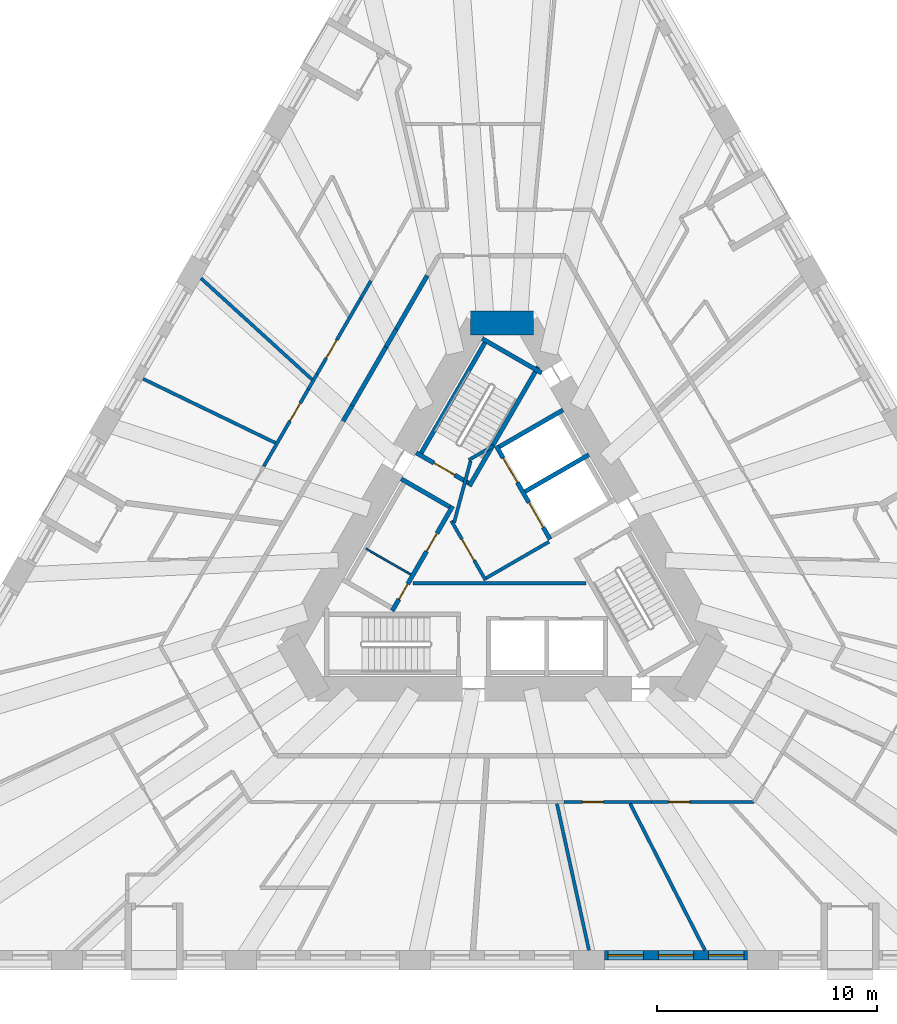
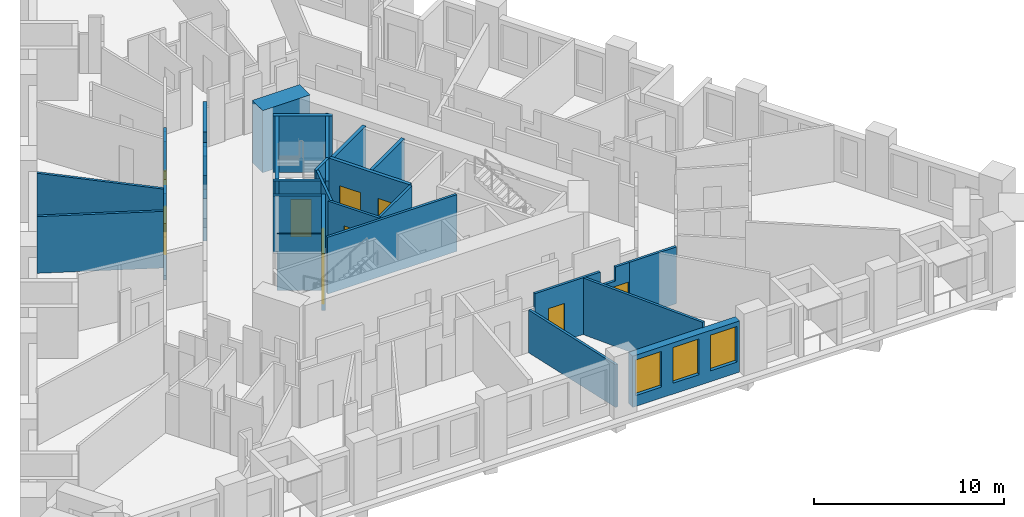
# One storey, part 5 of 14: 32 walls, 10 doors, 3 windows, 13 openings.
"""IFC4 building model written with IfcOpenShell, lengths in metres."""

from ifc_helpers import new_model, si_unit, direction, frame, frame_2d, origin, place, context, subcontext, project, spatial, polyline, rectangle, outline, extrude, material, layer, layer_set, type_object, element, fill, save


model = new_model("IFC4")

# Units and contexts
model_context = context("Model", 3, precision=1e-05, world=origin(), true_north=direction((0.0, 1.0)))
body_context = subcontext(model_context, "Body", "Model", "MODEL_VIEW")
ifc_project = project(units=[si_unit("LENGTHUNIT", "METRE"), si_unit("AREAUNIT", "SQUARE_METRE"), si_unit("VOLUMEUNIT", "CUBIC_METRE"), si_unit("PLANEANGLEUNIT", "RADIAN"), si_unit("MASSUNIT", "GRAM", prefix="KILO")], contexts=[model_context])

# Site, building, storey
site_placement = place(None, origin())
site = spatial("IfcSite", under=ifc_project, at=site_placement, CompositionType="ELEMENT")
building_placement = place(site_placement, origin())
building = spatial("IfcBuilding", under=site, at=building_placement, Name="Tramontana Tower", CompositionType="ELEMENT")
storey_placement = place(building_placement, frame((0.0, 0.0, 34.0)))
storey = spatial("IfcBuildingStorey", under=building, at=storey_placement, Name="L06", CompositionType="ELEMENT", Elevation=34.0)

# Walls
ifc_material_1 = material(Name="Concrete 70 MPa", Category="concrete")
ifc_layer_1 = layer(ifc_material_1, 1.10009765625)
ifc_layer_set_1 = layer_set([ifc_layer_1], Name="Core wall 1100 70 MPa")
wall_type_1 = type_object("IfcWallType", Name="Core wall 1100 70 MPa", PredefinedType="SHEAR", material=ifc_layer_set_1)
wall_1_placement = place(storey_placement, frame((1.443359375, 10.449951171875, 0.0), z_axis=(0.0, 0.0, 1.0), x_axis=(-1.0, 0.0, 0.0)))
element("IfcWall", 1, at=wall_1_placement, inside=storey, type_object=wall_type_1, Name="Core wall C0 L06", PredefinedType="SHEAR", context=body_context, shape_type="SweptSolid", body=[
    extrude(rectangle(XDim=2.88671875, YDim=1.10009765625, at=frame_2d((1.443359375, 0.0))), origin(), (0.0, 0.0, 1.0), 4.0),
])
ifc_material_2 = material(Name="Blockwork", Category="masonry")
ifc_layer_2 = layer(ifc_material_2, 0.199951171875)
ifc_layer_set_2 = layer_set([ifc_layer_2], Name="ENTRY WALL 200")
wall_type_2 = type_object("IfcWallType", Name="ENTRY WALL 200", PredefinedType="SOLIDWALL", material=ifc_layer_set_2)
wall_2_placement = place(storey_placement, frame((-7.228271484375, 5.98046875, 0.0), z_axis=(0.0, 0.0, 1.0), x_axis=(0.500118501653, 0.865956976012, 0.0)))
element("IfcWall", 2, at=wall_2_placement, inside=storey, type_object=wall_type_2, Name="Wall v01-ew4-6", PredefinedType="SOLIDWALL", context=body_context, shape_type="SweptSolid", body=[
    extrude(rectangle(XDim=0.818115234375, YDim=0.199951171875, at=frame_2d((0.4091796875, 0.0))), origin(), (0.0, 0.0, 1.0), 2.75),
])
wall_3_placement = place(storey_placement, frame((-6.819091796875, 6.68896484375, 0.0), z_axis=(0.0, 0.0, 1.0), x_axis=(0.499952348839, 0.866052913447, 0.0)))
element("IfcWall", 3, at=wall_3_placement, inside=storey, type_object=wall_type_2, Name="Wall v01-ew4-7", PredefinedType="SOLIDWALL", context=body_context, shape_type="SweptSolid", body=[
    extrude(rectangle(XDim=3.064208984375, YDim=0.199951171875, at=frame_2d((1.5322265625, 0.0))), origin(), (0.0, 0.0, 1.0), 3.64990234375),
])
wall_4_placement = place(storey_placement, frame((-5.287109375, 9.3427734375, 0.0), z_axis=(0.0, 0.0, 1.0), x_axis=(0.500174821557, 0.865924446982, 0.0)))
element("IfcWall", 4, at=wall_4_placement, inside=storey, type_object=wall_type_2, Name="Wall v01-ew4-8", PredefinedType="SOLIDWALL", context=body_context, shape_type="SweptSolid", body=[
    extrude(rectangle(XDim=0.949951171875, YDim=0.199951171875, at=frame_2d((0.47509765625, 0.0))), origin(), (0.0, 0.0, 1.0), 2.75),
])
wall_5_placement = place(storey_placement, frame((-4.81201171875, 10.165283203125, 0.0), z_axis=(0.0, 0.0, 1.0), x_axis=(0.500000186108, 0.866025296335, 0.0)))
element("IfcWall", 5, at=wall_5_placement, inside=storey, type_object=wall_type_2, Name="Wall v01-ew4-9", PredefinedType="SOLIDWALL", context=body_context, shape_type="SweptSolid", body=[
    extrude(rectangle(XDim=2.8154296875, YDim=0.199951171875, at=frame_2d((1.40771484375, 0.0))), origin(), (0.0, 0.0, 1.0), 3.64990234375),
])

# Wall, openings, windows
ifc_material_3 = material(Name="Precast concrete 60 MPa", Category="concrete")
ifc_layer_3 = layer(ifc_material_3, 0.449951171875)
ifc_layer_set_3 = layer_set([ifc_layer_3], Name="Precast concrete 60 MPa, 450 mm")
wall_type_3 = type_object("IfcWallType", Name="EW1 Stone-faced precast wall 450", PredefinedType="SOLIDWALL", material=ifc_layer_set_3)
wall_6_placement = place(storey_placement, frame((4.658935546875, -18.324951171875, 0.0), z_axis=(0.0, 0.0, 1.0), x_axis=(1.0, 0.0, 0.0)))
wall_6 = element("IfcWall", 6, at=wall_6_placement, inside=storey, type_object=wall_type_3, Name="External wall L06 face 1 bay 5", PredefinedType="SOLIDWALL", context=body_context, shape_type="SweptSolid", body=[
    extrude(rectangle(XDim=6.51806640625, YDim=0.449951171875, at=frame_2d((3.259033203125, 0.0))), origin(), (0.0, 0.0, 1.0), 3.300048828125),
])
opening_1_placement = place(wall_6_placement, frame((0.169677734375, 0.0, 0.699951171875)))
opening_1 = element("IfcOpeningElement", 7, at=opening_1_placement, cuts=wall_6, Name="Opening M1", PredefinedType="OPENING", context=body_context, shape_type="SweptSolid", body=[
    extrude(rectangle(XDim=1.60009765625, YDim=2.300048828125, at=frame_2d((0.800048828125, 1.14990234375))), frame((0.0, 0.23486328125, 0.0), z_axis=(0.0, -1.0, 0.0), x_axis=(1.0, 0.0, 0.0)), (0.0, 0.0, 1.0), 0.469970703125),
])
opening_2_placement = place(wall_6_placement, frame((2.458984375, 0.0, 0.699951171875)))
opening_2 = element("IfcOpeningElement", 8, at=opening_2_placement, cuts=wall_6, Name="Opening M1", PredefinedType="OPENING", context=body_context, shape_type="SweptSolid", body=[
    extrude(rectangle(XDim=1.60009765625, YDim=2.300048828125, at=frame_2d((0.800048828125, 1.14990234375))), frame((0.0, 0.23486328125, 0.0), z_axis=(0.0, -1.0, 0.0), x_axis=(1.0, 0.0, 0.0)), (0.0, 0.0, 1.0), 0.469970703125),
])
opening_3_placement = place(wall_6_placement, frame((4.748291015625, 0.0, 0.699951171875)))
opening_3 = element("IfcOpeningElement", 9, at=opening_3_placement, cuts=wall_6, Name="Opening M1", PredefinedType="OPENING", context=body_context, shape_type="SweptSolid", body=[
    extrude(rectangle(XDim=1.60009765625, YDim=2.300048828125, at=frame_2d((0.800048828125, 1.14990234375))), frame((0.0, 0.23486328125, 0.0), z_axis=(0.0, -1.0, 0.0), x_axis=(1.0, 0.0, 0.0)), (0.0, 0.0, 1.0), 0.469970703125),
])
ifc_material_4 = material(Name="Aluminum frame, double glazing unit", Category="aluminium")
window_type = type_object("IfcWindowType", Name="M1 Window 1.6 x 2.3", PartitioningType="SINGLE_PANEL", PredefinedType="WINDOW", material=ifc_material_4)
window_1_placement = place(opening_1_placement, origin())
window_1 = element("IfcWindow", 10, at=window_1_placement, inside=storey, type_object=window_type, Name="Window M1 L06 face 1 module 13", OverallHeight=2.300048828125, OverallWidth=1.60009765625, PartitioningType="SINGLE_PANEL", PredefinedType="WINDOW", context=body_context, shape_type="SweptSolid", body=[
    extrude(rectangle(XDim=1.60009765625, YDim=2.300048828125, at=frame_2d((0.800048828125, 1.14990234375))), frame((0.0, 0.030029296875, 0.0), z_axis=(0.0, -1.0, 0.0), x_axis=(1.0, 0.0, 0.0)), (0.0, 0.0, 1.0), 0.06005859375),
])
fill(opening_1, window_1)
window_2_placement = place(opening_2_placement, origin())
window_2 = element("IfcWindow", 11, at=window_2_placement, inside=storey, type_object=window_type, Name="Window M1 L06 face 1 module 14", OverallHeight=2.300048828125, OverallWidth=1.60009765625, PartitioningType="SINGLE_PANEL", PredefinedType="WINDOW", context=body_context, shape_type="SweptSolid", body=[
    extrude(rectangle(XDim=1.60009765625, YDim=2.300048828125, at=frame_2d((0.800048828125, 1.14990234375))), frame((0.0, 0.030029296875, 0.0), z_axis=(0.0, -1.0, 0.0), x_axis=(1.0, 0.0, 0.0)), (0.0, 0.0, 1.0), 0.06005859375),
])
fill(opening_2, window_2)
window_3_placement = place(opening_3_placement, origin())
window_3 = element("IfcWindow", 12, at=window_3_placement, inside=storey, type_object=window_type, Name="Window M1 L06 face 1 module 15", OverallHeight=2.300048828125, OverallWidth=1.60009765625, PartitioningType="SINGLE_PANEL", PredefinedType="WINDOW", context=body_context, shape_type="SweptSolid", body=[
    extrude(rectangle(XDim=1.60009765625, YDim=2.300048828125, at=frame_2d((0.800048828125, 1.14990234375))), frame((0.0, 0.030029296875, 0.0), z_axis=(0.0, -1.0, 0.0), x_axis=(1.0, 0.0, 0.0)), (0.0, 0.0, 1.0), 0.06005859375),
])
fill(opening_3, window_3)

# Wall, opening, door
ifc_material_5 = material(Name="Gypsum board partition")
ifc_layer_4 = layer(ifc_material_5, 0.14990234375)
ifc_layer_set_4 = layer_set([ifc_layer_4], Name="PARTITION 150")
wall_type_4 = type_object("IfcWallType", Name="PARTITION 150", PredefinedType="PARTITIONING", material=ifc_layer_set_4)
wall_7_placement = place(storey_placement, frame((-0.744140625, -1.260986328125, 0.0), z_axis=(0.0, 0.0, 1.0), x_axis=(-0.500004234368, 0.866022959057, 0.0)))
wall_7 = element("IfcWall", 13, at=wall_7_placement, inside=storey, type_object=wall_type_4, Name="Wall ff-front", PredefinedType="PARTITIONING", context=body_context, shape_type="SweptSolid", body=[
    extrude(rectangle(XDim=3.125, YDim=0.14990234375, at=frame_2d((1.5625, 0.0))), origin(), (0.0, 0.0, 1.0), 3.64990234375),
])
opening_4_placement = place(wall_7_placement, frame((1.050048828125, 0.0, 0.0)))
opening_4 = element("IfcOpeningElement", 14, at=opening_4_placement, cuts=wall_7, Name="Opening FD1", PredefinedType="OPENING", context=body_context, shape_type="SweptSolid", body=[
    extrude(rectangle(XDim=1.10009765625, YDim=2.39990234375, at=frame_2d((0.550048828125, 1.199951171875))), frame((0.0, 0.0849609375, 0.0), z_axis=(0.0, -1.0, 0.0), x_axis=(1.0, 0.0, 0.0)), (0.0, 0.0, 1.0), 0.169921875),
])
ifc_material_6 = material(Name="Painted timber", Category="wood")
door_type_1 = type_object("IfcDoorType", Name="DOOR ENTRY 1100", OperationType="SINGLE_SWING_LEFT", PredefinedType="DOOR", material=ifc_material_6)
door_1_placement = place(opening_4_placement, origin())
door_1 = element("IfcDoor", 15, at=door_1_placement, inside=storey, type_object=door_type_1, Name="Door FD1", OperationType="SINGLE_SWING_LEFT", OverallHeight=2.39990234375, OverallWidth=1.10009765625, PredefinedType="DOOR", context=body_context, shape_type="SweptSolid", body=[
    extrude(rectangle(XDim=1.10009765625, YDim=2.39990234375, at=frame_2d((0.550048828125, 1.199951171875))), frame((0.0, 0.02490234375, 0.0), z_axis=(0.0, -1.0, 0.0), x_axis=(1.0, 0.0, 0.0)), (0.0, 0.0, 1.0), 0.050048828125),
])
fill(opening_4, door_1)

# Walls
wall_8_placement = place(storey_placement, frame((-0.716796875, -1.15869140625, 0.0), z_axis=(0.0, 0.0, 1.0), x_axis=(0.866008176907, 0.50002983664, 0.0)))
element("IfcWall", 16, at=wall_8_placement, inside=storey, type_object=wall_type_4, Name="Wall ff-end0", PredefinedType="PARTITIONING", context=body_context, shape_type="SweptSolid", body=[
    extrude(rectangle(XDim=3.300048828125, YDim=0.14990234375, at=frame_2d((1.64990234375, 0.0))), origin(), (0.0, 0.0, 1.0), 3.64990234375),
])
wall_9_placement = place(storey_placement, frame((-2.177978515625, 1.372314453125, 0.0), z_axis=(0.0, 0.0, 1.0), x_axis=(0.258808958833, 0.96592852884, 0.0)))
element("IfcWall", 17, at=wall_9_placement, inside=storey, type_object=wall_type_4, Name="Wall ff-diag", PredefinedType="PARTITIONING", context=body_context, shape_type="SweptSolid", body=[
    extrude(rectangle(XDim=2.902587890625, YDim=0.14990234375, at=frame_2d((1.451171875, 0.0))), origin(), (0.0, 0.0, 1.0), 3.64990234375),
])
wall_10_placement = place(storey_placement, frame((-1.509765625, 4.21484375, 0.0), z_axis=(0.0, 0.0, 1.0), x_axis=(0.866085525409, 0.49989585183, 0.0)))
element("IfcWall", 18, at=wall_10_placement, inside=storey, type_object=wall_type_4, Name="Wall ff-end1", PredefinedType="PARTITIONING", context=body_context, shape_type="SweptSolid", body=[
    extrude(rectangle(XDim=1.300048828125, YDim=0.14990234375, at=frame_2d((0.64990234375, 0.0))), origin(), (0.0, 0.0, 1.0), 3.64990234375),
])
wall_11_placement = place(storey_placement, frame((-4.053466796875, -1.39990234375, 0.0), z_axis=(0.0, 0.0, 1.0), x_axis=(1.0, 0.0, 0.0)))
element("IfcWall", 19, at=wall_11_placement, inside=storey, type_object=wall_type_4, Name="Wall hub-cut1", PredefinedType="PARTITIONING", context=body_context, shape_type="SweptSolid", body=[
    extrude(rectangle(XDim=7.8759765625, YDim=0.14990234375, at=frame_2d((3.93798828125, 0.0))), origin(), (0.0, 0.0, 1.0), 3.64990234375),
])

# Wall, opening, door
wall_12_placement = place(storey_placement, frame((-10.842529296875, 3.92041015625, 0.0), z_axis=(0.0, 0.0, 1.0), x_axis=(0.500007556608, 0.866021040931, 0.0)))
wall_12 = element("IfcWall", 20, at=wall_12_placement, inside=storey, type_object=wall_type_4, Name="Wall v01-pw07-4", PredefinedType="PARTITIONING", context=body_context, shape_type="SweptSolid", body=[
    extrude(rectangle(XDim=4.05224609375, YDim=0.14990234375, at=frame_2d((2.026123046875, 0.0))), origin(), (0.0, 0.0, 1.0), 3.64990234375),
])
opening_5_placement = place(wall_12_placement, frame((2.378662109375, 0.0, 0.0)))
opening_5 = element("IfcOpeningElement", 21, at=opening_5_placement, cuts=wall_12, Name="Opening B0B-09", PredefinedType="OPENING", context=body_context, shape_type="SweptSolid", body=[
    extrude(rectangle(XDim=0.949951171875, YDim=2.39990234375, at=frame_2d((0.47509765625, 1.199951171875))), frame((0.0, 0.0849609375, 0.0), z_axis=(0.0, -1.0, 0.0), x_axis=(1.0, 0.0, 0.0)), (0.0, 0.0, 1.0), 0.169921875),
])
ifc_material_7 = material(Name="Painted timber", Category="wood")
door_type_2 = type_object("IfcDoorType", Name="DOOR ROOM 950", OperationType="SINGLE_SWING_LEFT", PredefinedType="DOOR", material=ifc_material_7)
door_2_placement = place(opening_5_placement, origin())
door_2 = element("IfcDoor", 22, at=door_2_placement, inside=storey, type_object=door_type_2, Name="Door B0B-09", OperationType="SINGLE_SWING_LEFT", OverallHeight=2.39990234375, OverallWidth=0.949951171875, PredefinedType="DOOR", context=body_context, shape_type="SweptSolid", body=[
    extrude(rectangle(XDim=0.949951171875, YDim=2.39990234375, at=frame_2d((0.47509765625, 1.199951171875))), frame((0.0, 0.02490234375, 0.0), z_axis=(0.0, -1.0, 0.0), x_axis=(1.0, 0.0, 0.0)), (0.0, 0.0, 1.0), 0.050048828125),
])
fill(opening_5, door_2)

# Wall
wall_13_placement = place(storey_placement, frame((-8.81640625, 7.4296875, 0.0), z_axis=(0.0, 0.0, 1.0), x_axis=(0.500015802937, 0.866016279763, 0.0)))
element("IfcWall", 23, at=wall_13_placement, inside=storey, type_object=wall_type_4, Name="Wall v01-pw07-5", PredefinedType="PARTITIONING", context=body_context, shape_type="SweptSolid", body=[
    extrude(rectangle(XDim=0.79248046875, YDim=0.14990234375, at=frame_2d((0.396240234375, 0.0))), origin(), (0.0, 0.0, 1.0), 2.75),
])

# Wall, opening, door
wall_14_placement = place(storey_placement, frame((-8.420166015625, 8.115966796875, 0.0), z_axis=(0.0, 0.0, 1.0), x_axis=(0.500010364181, 0.866019419939, 0.0)))
wall_14 = element("IfcWall", 24, at=wall_14_placement, inside=storey, type_object=wall_type_4, Name="Wall v01-pw07-6", PredefinedType="PARTITIONING", context=body_context, shape_type="SweptSolid", body=[
    extrude(rectangle(XDim=3.98828125, YDim=0.14990234375, at=frame_2d((1.994140625, 0.0))), origin(), (0.0, 0.0, 1.0), 3.64990234375),
])
opening_6_placement = place(wall_14_placement, frame((0.84423828125, 0.0, 0.0)))
opening_6 = element("IfcOpeningElement", 25, at=opening_6_placement, cuts=wall_14, Name="Opening B0B-08", PredefinedType="OPENING", context=body_context, shape_type="SweptSolid", body=[
    extrude(rectangle(XDim=0.949951171875, YDim=2.39990234375, at=frame_2d((0.47509765625, 1.199951171875))), frame((0.0, 0.0849609375, 0.0), z_axis=(0.0, -1.0, 0.0), x_axis=(1.0, 0.0, 0.0)), (0.0, 0.0, 1.0), 0.169921875),
])
door_3_placement = place(opening_6_placement, origin())
door_3 = element("IfcDoor", 26, at=door_3_placement, inside=storey, type_object=door_type_2, Name="Door B0B-08", OperationType="SINGLE_SWING_RIGHT", OverallHeight=2.39990234375, OverallWidth=0.949951171875, PredefinedType="DOOR", context=body_context, shape_type="SweptSolid", body=[
    extrude(rectangle(XDim=0.949951171875, YDim=2.39990234375, at=frame_2d((0.47509765625, 1.199951171875))), frame((0.0, 0.02490234375, 0.0), z_axis=(0.0, -1.0, 0.0), x_axis=(1.0, 0.0, 0.0)), (0.0, 0.0, 1.0), 0.050048828125),
])
fill(opening_6, door_3)

# Walls
wall_15_placement = place(storey_placement, frame((-6.426025390625, 11.56982421875, 0.0), z_axis=(0.0, 0.0, 1.0), x_axis=(0.499990325971, 0.866030989016, 0.0)))
element("IfcWall", 27, at=wall_15_placement, inside=storey, type_object=wall_type_4, Name="Wall v01-pw07-7", PredefinedType="PARTITIONING", context=body_context, shape_type="SweptSolid", body=[
    extrude(rectangle(XDim=0.92041015625, YDim=0.14990234375, at=frame_2d((0.460205078125, 0.0))), origin(), (0.0, 0.0, 1.0), 2.75),
])
wall_16_placement = place(storey_placement, frame((-10.310791015625, 4.9912109375, 0.0), z_axis=(0.0, 0.0, 1.0), x_axis=(-0.900095112933, 0.435693456084, 0.0)))
element("IfcWall", 28, at=wall_16_placement, inside=storey, type_object=wall_type_4, Name="Wall v01-pw15", PredefinedType="PARTITIONING", context=body_context, shape_type="SweptSolid", body=[
    extrude(rectangle(XDim=6.69287109375, YDim=0.14990234375, at=frame_2d((3.346435546875, 0.0))), origin(), (0.0, 0.0, 1.0), 3.64990234375),
])
for number, where, z_axis, x_axis, name in (
    (29, (-8.644775390625, 7.876708984375, 0.0), (0.0, 0.0, 1.0), (-0.739197523156, 0.673488694604, 0.0), "Wall v01-pw18-0"),
    (30, (3.958984375, -18.10009765625, 0.0), (0.0, 0.0, 1.0), (-0.213668107873, 0.976906310594, 0.0), "Wall v01-pw34-0"),
):
    element("IfcWall", number, at=place(storey_placement, frame(where, z_axis=z_axis, x_axis=x_axis)), inside=storey, type_object=wall_type_4, Name=name, PredefinedType="PARTITIONING", context=body_context, shape_type="SweptSolid", body=[
        extrude(rectangle(XDim=6.832763671875, YDim=0.14990234375, at=frame_2d((3.41650390625, 0.0))), origin(), (0.0, 0.0, 1.0), 2.75),
    ])
wall_17_placement = place(storey_placement, frame((9.237548828125, -18.10009765625, 0.0), z_axis=(0.0, 0.0, 1.0), x_axis=(-0.454586921445, 0.890702380625, 0.0)))
element("IfcWall", 31, at=wall_17_placement, inside=storey, type_object=wall_type_4, Name="Wall v01-pw40", PredefinedType="PARTITIONING", context=body_context, shape_type="SweptSolid", body=[
    extrude(rectangle(XDim=7.494140625, YDim=0.14990234375, at=frame_2d((3.7470703125, 0.0))), origin(), (0.0, 0.0, 1.0), 3.64990234375),
])
wall_18_placement = place(storey_placement, frame((11.46044921875, -11.35009765625, 0.0), z_axis=(0.0, 0.0, 1.0), x_axis=(-1.0, 0.0, 0.0)))
element("IfcWall", 32, at=wall_18_placement, inside=storey, type_object=wall_type_4, Name="Wall v01-pw45-0", PredefinedType="PARTITIONING", context=body_context, shape_type="SweptSolid", body=[
    extrude(rectangle(XDim=2.873779296875, YDim=0.14990234375, at=frame_2d((1.43701171875, 0.0))), origin(), (0.0, 0.0, 1.0), 3.64990234375),
])

# Wall, opening, door
wall_19_placement = place(storey_placement, frame((8.586669921875, -11.35009765625, 0.0), z_axis=(0.0, 0.0, 1.0), x_axis=(-1.0, 0.0, 0.0)))
wall_19 = element("IfcWall", 33, at=wall_19_placement, inside=storey, type_object=wall_type_4, Name="Wall v01-pw45-1", PredefinedType="PARTITIONING", context=body_context, shape_type="SweptSolid", body=[
    extrude(outline(polyline([(0.0, 0.0), (1.77978515625, 0.0), (1.77978515625, 2.75), (0.859619140625, 2.75), (0.859619140625, 3.64990234375), (0.0, 3.64990234375), (0.0, 0.0)])), frame((0.0, 0.074951171875, 0.0), z_axis=(0.0, -1.0, 0.0), x_axis=(1.0, 0.0, 0.0)), (0.0, 0.0, 1.0), 0.14990234375),
])
opening_7_placement = place(wall_19_placement, frame((0.050048828125, 0.0, 0.0)))
opening_7 = element("IfcOpeningElement", 34, at=opening_7_placement, cuts=wall_19, Name="Opening B0B-27", PredefinedType="OPENING", context=body_context, shape_type="SweptSolid", body=[
    extrude(rectangle(XDim=0.949951171875, YDim=2.39990234375, at=frame_2d((0.47509765625, 1.199951171875))), frame((0.0, 0.0849609375, 0.0), z_axis=(0.0, -1.0, 0.0), x_axis=(1.0, 0.0, 0.0)), (0.0, 0.0, 1.0), 0.169921875),
])
door_4_placement = place(opening_7_placement, origin())
door_4 = element("IfcDoor", 35, at=door_4_placement, inside=storey, type_object=door_type_2, Name="Door B0B-27", OperationType="SINGLE_SWING_LEFT", OverallHeight=2.39990234375, OverallWidth=0.949951171875, PredefinedType="DOOR", context=body_context, shape_type="SweptSolid", body=[
    extrude(rectangle(XDim=0.949951171875, YDim=2.39990234375, at=frame_2d((0.47509765625, 1.199951171875))), frame((0.0, 0.02490234375, 0.0), z_axis=(0.0, -1.0, 0.0), x_axis=(1.0, 0.0, 0.0)), (0.0, 0.0, 1.0), 0.050048828125),
])
fill(opening_7, door_4)

wall_20_placement = place(storey_placement, frame((6.806884765625, -11.35009765625, 0.0), z_axis=(0.0, 0.0, 1.0), x_axis=(-1.0, 0.0, 0.0)))
wall_20 = element("IfcWall", 36, at=wall_20_placement, inside=storey, type_object=wall_type_4, Name="Wall v01-pw45-2", PredefinedType="PARTITIONING", context=body_context, shape_type="SweptSolid", body=[
    extrude(rectangle(XDim=3.98828125, YDim=0.14990234375, at=frame_2d((1.994140625, 0.0))), origin(), (0.0, 0.0, 1.0), 3.64990234375),
])
opening_8_placement = place(wall_20_placement, frame((2.194091796875, 0.0, 0.0)))
opening_8 = element("IfcOpeningElement", 37, at=opening_8_placement, cuts=wall_20, Name="Opening B0B-28", PredefinedType="OPENING", context=body_context, shape_type="SweptSolid", body=[
    extrude(rectangle(XDim=0.949951171875, YDim=2.39990234375, at=frame_2d((0.47509765625, 1.199951171875))), frame((0.0, 0.0849609375, 0.0), z_axis=(0.0, -1.0, 0.0), x_axis=(1.0, 0.0, 0.0)), (0.0, 0.0, 1.0), 0.169921875),
])
door_5_placement = place(opening_8_placement, origin())
door_5 = element("IfcDoor", 38, at=door_5_placement, inside=storey, type_object=door_type_2, Name="Door B0B-28", OperationType="SINGLE_SWING_RIGHT", OverallHeight=2.39990234375, OverallWidth=0.949951171875, PredefinedType="DOOR", context=body_context, shape_type="SweptSolid", body=[
    extrude(rectangle(XDim=0.949951171875, YDim=2.39990234375, at=frame_2d((0.47509765625, 1.199951171875))), frame((0.0, 0.02490234375, 0.0), z_axis=(0.0, -1.0, 0.0), x_axis=(1.0, 0.0, 0.0)), (0.0, 0.0, 1.0), 0.050048828125),
])
fill(opening_8, door_5)

# Walls
ifc_material_8 = material(Name="Gypsum board partition")
ifc_layer_5 = layer(ifc_material_8, 0.080078125)
ifc_layer_set_5 = layer_set([ifc_layer_5], Name="PARTITION 80")
wall_type_5 = type_object("IfcWallType", Name="PARTITION 80", PredefinedType="PARTITIONING", material=ifc_layer_set_5)
wall_21_placement = place(storey_placement, frame((-4.15478515625, -0.99609375, 0.0), z_axis=(0.0, 0.0, 1.0), x_axis=(-0.866016039709, 0.500016218704, 0.0)))
element("IfcWall", 39, at=wall_21_placement, inside=storey, type_object=wall_type_5, Name="Wall row0-split", PredefinedType="PARTITIONING", context=body_context, shape_type="SweptSolid", body=[
    extrude(rectangle(XDim=2.35009765625, YDim=0.080078125, at=frame_2d((1.175048828125, 0.0))), origin(), (0.0, 0.0, 1.0), 3.64990234375),
])
ifc_material_9 = material(Name="Concrete 70 MPa", Category="concrete")
ifc_layer_6 = layer(ifc_material_9, 0.199951171875)
ifc_layer_set_6 = layer_set([ifc_layer_6], Name="Concrete 70 MPa, 200 mm")
wall_type_6 = type_object("IfcWallType", Name="RC SHAFT BACK WALL 200", PredefinedType="SOLIDWALL", material=ifc_layer_set_6)
wall_22_placement = place(storey_placement, frame((-0.679931640625, 9.722412109375, 0.0), z_axis=(0.0, 0.0, 1.0), x_axis=(-0.49998037582, -0.866036733513, 0.0)))
element("IfcWall", 40, at=wall_22_placement, inside=storey, type_object=wall_type_6, Name="Wall st1-back", PredefinedType="SOLIDWALL", context=body_context, shape_type="SweptSolid", body=[
    extrude(rectangle(XDim=6.199951171875, YDim=0.199951171875, at=frame_2d((3.10009765625, 0.0))), origin(), (0.0, 0.0, 1.0), 3.64990234375),
])
ifc_material_10 = material(Name="Concrete 70 MPa", Category="concrete")
ifc_layer_7 = layer(ifc_material_10, 0.199951171875)
ifc_layer_set_7 = layer_set([ifc_layer_7], Name="Concrete 70 MPa, 200 mm")
wall_type_7 = type_object("IfcWallType", Name="RC STAIR AND SHAFT WALL 200", PredefinedType="SOLIDWALL", material=ifc_layer_set_7)
wall_23_placement = place(storey_placement, frame((1.6455078125, 8.449951171875, 0.0), z_axis=(0.0, 0.0, 1.0), x_axis=(-0.500006002103, -0.866021938441, 0.0)))
element("IfcWall", 41, at=wall_23_placement, inside=storey, type_object=wall_type_7, Name="Wall st1-front", PredefinedType="SOLIDWALL", context=body_context, shape_type="SweptSolid", body=[
    extrude(rectangle(XDim=6.2607421875, YDim=0.199951171875, at=frame_2d((3.13037109375, 0.0))), origin(), (0.0, 0.0, 1.0), 3.64990234375),
])
wall_24_placement = place(storey_placement, frame((1.80615234375, 8.171875, 0.0), z_axis=(0.0, 0.0, 1.0), x_axis=(-0.866054327916, 0.499949898588, 0.0)))
element("IfcWall", 42, at=wall_24_placement, inside=storey, type_object=wall_type_7, Name="Wall st1-far", PredefinedType="SOLIDWALL", context=body_context, shape_type="SweptSolid", body=[
    extrude(rectangle(XDim=3.128173828125, YDim=0.199951171875, at=frame_2d((1.56396484375, 0.0))), origin(), (0.0, 0.0, 1.0), 3.64990234375),
])

# Wall, opening, door
wall_25_placement = place(storey_placement, frame((-1.521484375, 3.164794921875, 0.0), z_axis=(0.0, 0.0, 1.0), x_axis=(-0.866027397988, 0.499996545922, 0.0)))
wall_25 = element("IfcWall", 43, at=wall_25_placement, inside=storey, type_object=wall_type_7, Name="Wall st1-near", PredefinedType="SOLIDWALL", context=body_context, shape_type="SweptSolid", body=[
    extrude(rectangle(XDim=2.75, YDim=0.199951171875, at=frame_2d((1.375, 0.0))), origin(), (0.0, 0.0, 1.0), 3.64990234375),
])
opening_9_placement = place(wall_25_placement, frame((0.72509765625, 0.0, 0.0)))
opening_9 = element("IfcOpeningElement", 44, at=opening_9_placement, cuts=wall_25, Name="Opening SD1", PredefinedType="OPENING", context=body_context, shape_type="SweptSolid", body=[
    extrude(rectangle(XDim=1.10009765625, YDim=2.39990234375, at=frame_2d((0.550048828125, 1.199951171875))), frame((0.0, 0.10986328125, 0.0), z_axis=(0.0, -1.0, 0.0), x_axis=(1.0, 0.0, 0.0)), (0.0, 0.0, 1.0), 0.219970703125),
])
ifc_material_11 = material(Name="Painted steel", Category="steel")
door_type_3 = type_object("IfcDoorType", Name="STAIR DOOR 1100", OperationType="SINGLE_SWING_LEFT", PredefinedType="DOOR", material=ifc_material_11)
door_6_placement = place(opening_9_placement, origin())
door_6 = element("IfcDoor", 45, at=door_6_placement, inside=storey, type_object=door_type_3, Name="Door SD1", OperationType="SINGLE_SWING_RIGHT", OverallHeight=2.39990234375, OverallWidth=1.10009765625, PredefinedType="DOOR", context=body_context, shape_type="SweptSolid", body=[
    extrude(rectangle(XDim=1.10009765625, YDim=2.39990234375, at=frame_2d((0.550048828125, 1.199951171875))), frame((0.0, 0.02490234375, 0.0), z_axis=(0.0, -1.0, 0.0), x_axis=(1.0, 0.0, 0.0)), (0.0, 0.0, 1.0), 0.050048828125),
])
fill(opening_9, door_6)

# Wall, openings, doors
wall_26_placement = place(storey_placement, frame((-4.9931640625, -2.648193359375, 0.0), z_axis=(0.0, 0.0, 1.0), x_axis=(0.499996545922, 0.866027397988, 0.0)))
wall_26 = element("IfcWall", 46, at=wall_26_placement, inside=storey, type_object=wall_type_7, Name="Wall row0-front", PredefinedType="SOLIDWALL", context=body_context, shape_type="SweptSolid", body=[
    extrude(rectangle(XDim=5.5, YDim=0.199951171875, at=frame_2d((2.75, 0.0))), origin(), (0.0, 0.0, 1.0), 3.64990234375),
])
opening_10_placement = place(wall_26_placement, frame((3.1201171875, 0.0, 0.0)))
opening_10 = element("IfcOpeningElement", 47, at=opening_10_placement, cuts=wall_26, Name="Opening RD-0A", PredefinedType="OPENING", context=body_context, shape_type="SweptSolid", body=[
    extrude(rectangle(XDim=0.949951171875, YDim=2.39990234375, at=frame_2d((0.47509765625, 1.199951171875))), frame((0.0, 0.10986328125, 0.0), z_axis=(0.0, -1.0, 0.0), x_axis=(1.0, 0.0, 0.0)), (0.0, 0.0, 1.0), 0.219970703125),
])
opening_11_placement = place(wall_26_placement, frame((0.60498046875, 0.0, 0.0)))
opening_11 = element("IfcOpeningElement", 48, at=opening_11_placement, cuts=wall_26, Name="Opening RD-0B", PredefinedType="OPENING", context=body_context, shape_type="SweptSolid", body=[
    extrude(rectangle(XDim=0.800048828125, YDim=2.10009765625, at=frame_2d((0.39990234375, 1.050048828125))), frame((0.0, 0.10986328125, 0.0), z_axis=(0.0, -1.0, 0.0), x_axis=(1.0, 0.0, 0.0)), (0.0, 0.0, 1.0), 0.219970703125),
])
ifc_material_12 = material(Name="Painted steel", Category="steel")
door_type_4 = type_object("IfcDoorType", Name="CUPBOARD DOOR 800", OperationType="SINGLE_SWING_LEFT", PredefinedType="DOOR", material=ifc_material_12)
door_7_placement = place(opening_11_placement, origin())
door_7 = element("IfcDoor", 49, at=door_7_placement, inside=storey, type_object=door_type_4, Name="Door RD-0B", OperationType="SINGLE_SWING_RIGHT", OverallHeight=2.10009765625, OverallWidth=0.800048828125, PredefinedType="DOOR", context=body_context, shape_type="SweptSolid", body=[
    extrude(rectangle(XDim=0.800048828125, YDim=2.10009765625, at=frame_2d((0.39990234375, 1.050048828125))), frame((0.0, 0.02490234375, 0.0), z_axis=(0.0, -1.0, 0.0), x_axis=(1.0, 0.0, 0.0)), (0.0, 0.0, 1.0), 0.050048828125),
])
fill(opening_11, door_7)
door_8_placement = place(opening_10_placement, origin())
door_8 = element("IfcDoor", 50, at=door_8_placement, inside=storey, type_object=door_type_2, Name="Door RD-0A", OperationType="SINGLE_SWING_LEFT", OverallHeight=2.39990234375, OverallWidth=0.949951171875, PredefinedType="DOOR", context=body_context, shape_type="SweptSolid", body=[
    extrude(rectangle(XDim=0.949951171875, YDim=2.39990234375, at=frame_2d((0.47509765625, 1.199951171875))), frame((0.0, 0.02490234375, 0.0), z_axis=(0.0, -1.0, 0.0), x_axis=(1.0, 0.0, 0.0)), (0.0, 0.0, 1.0), 0.050048828125),
])
fill(opening_10, door_8)

# Wall
wall_27_placement = place(storey_placement, frame((-2.379638671875, 2.078369140625, 0.0), z_axis=(0.0, 0.0, 1.0), x_axis=(-0.866054858364, 0.499948979701, 0.0)))
element("IfcWall", 51, at=wall_27_placement, inside=storey, type_object=wall_type_7, Name="Wall row0-side0", PredefinedType="SOLIDWALL", context=body_context, shape_type="SweptSolid", body=[
    extrude(rectangle(XDim=2.550048828125, YDim=0.199951171875, at=frame_2d((1.27490234375, 0.0))), origin(), (0.0, 0.0, 1.0), 3.64990234375),
])

# Wall, openings, doors
wall_28_placement = place(storey_placement, frame((2.190185546875, 0.6064453125, 0.0), z_axis=(0.0, 0.0, 1.0), x_axis=(-0.500002801628, 0.866023786258, 0.0)))
wall_28 = element("IfcWall", 52, at=wall_28_placement, inside=storey, type_object=wall_type_7, Name="Wall row2-front", PredefinedType="SOLIDWALL", context=body_context, shape_type="SweptSolid", body=[
    extrude(rectangle(XDim=4.89990234375, YDim=0.199951171875, at=frame_2d((2.449951171875, 0.0))), origin(), (0.0, 0.0, 1.0), 3.64990234375),
])
opening_12_placement = place(wall_28_placement, frame((0.625, 0.0, 0.0)))
opening_12 = element("IfcOpeningElement", 53, at=opening_12_placement, cuts=wall_28, Name="Opening LD-F1", PredefinedType="OPENING", context=body_context, shape_type="SweptSolid", body=[
    extrude(rectangle(XDim=1.300048828125, YDim=2.10009765625, at=frame_2d((0.64990234375, 1.050048828125))), frame((0.0, 0.10986328125, 0.0), z_axis=(0.0, -1.0, 0.0), x_axis=(1.0, 0.0, 0.0)), (0.0, 0.0, 1.0), 0.219970703125),
])
opening_13_placement = place(wall_28_placement, frame((2.97509765625, 0.0, 0.0)))
opening_13 = element("IfcOpeningElement", 54, at=opening_13_placement, cuts=wall_28, Name="Opening LD-F2", PredefinedType="OPENING", context=body_context, shape_type="SweptSolid", body=[
    extrude(rectangle(XDim=1.300048828125, YDim=2.10009765625, at=frame_2d((0.64990234375, 1.050048828125))), frame((0.0, 0.10986328125, 0.0), z_axis=(0.0, -1.0, 0.0), x_axis=(1.0, 0.0, 0.0)), (0.0, 0.0, 1.0), 0.219970703125),
])
ifc_material_13 = material(Name="Brushed steel", Category="steel")
door_type_5 = type_object("IfcDoorType", Name="LANDING DOOR 1300", OperationType="SINGLE_SWING_LEFT", PredefinedType="DOOR", material=ifc_material_13)
door_9_placement = place(opening_12_placement, origin())
door_9 = element("IfcDoor", 55, at=door_9_placement, inside=storey, type_object=door_type_5, Name="Door LD-F1", OperationType="SLIDING_TO_LEFT", OverallHeight=2.10009765625, OverallWidth=1.300048828125, PredefinedType="DOOR", context=body_context, shape_type="SweptSolid", body=[
    extrude(rectangle(XDim=1.300048828125, YDim=2.10009765625, at=frame_2d((0.64990234375, 1.050048828125))), frame((0.0, 0.02490234375, 0.0), z_axis=(0.0, -1.0, 0.0), x_axis=(1.0, 0.0, 0.0)), (0.0, 0.0, 1.0), 0.050048828125),
])
fill(opening_12, door_9)
door_10_placement = place(opening_13_placement, origin())
door_10 = element("IfcDoor", 56, at=door_10_placement, inside=storey, type_object=door_type_5, Name="Door LD-F2", OperationType="SLIDING_TO_RIGHT", OverallHeight=2.10009765625, OverallWidth=1.300048828125, PredefinedType="DOOR", context=body_context, shape_type="SweptSolid", body=[
    extrude(rectangle(XDim=1.300048828125, YDim=2.10009765625, at=frame_2d((0.64990234375, 1.050048828125))), frame((0.0, 0.02490234375, 0.0), z_axis=(0.0, -1.0, 0.0), x_axis=(1.0, 0.0, 0.0)), (0.0, 0.0, 1.0), 0.050048828125),
])
fill(opening_13, door_10)

# Walls
wall_29_placement = place(storey_placement, frame((1.0517578125, 2.778076171875, 0.0), z_axis=(0.0, 0.0, 1.0), x_axis=(0.866032680314, 0.499987396469, 0.0)))
element("IfcWall", 57, at=wall_29_placement, inside=storey, type_object=wall_type_7, Name="Wall row2-side1", PredefinedType="SOLIDWALL", context=body_context, shape_type="SweptSolid", body=[
    extrude(rectangle(XDim=3.35009765625, YDim=0.199951171875, at=frame_2d((1.675048828125, 0.0))), origin(), (0.0, 0.0, 1.0), 3.64990234375),
])
wall_30_placement = place(storey_placement, frame((-0.123046875, 4.813232421875, 0.0), z_axis=(0.0, 0.0, 1.0), x_axis=(0.866014461049, 0.500018952895, 0.0)))
element("IfcWall", 58, at=wall_30_placement, inside=storey, type_object=wall_type_7, Name="Wall row2-side2", PredefinedType="SOLIDWALL", context=body_context, shape_type="SweptSolid", body=[
    extrude(rectangle(XDim=3.349853515625, YDim=0.199951171875, at=frame_2d((1.6748046875, 0.0))), origin(), (0.0, 0.0, 1.0), 3.64990234375),
])

save(model, "model.ifc")
